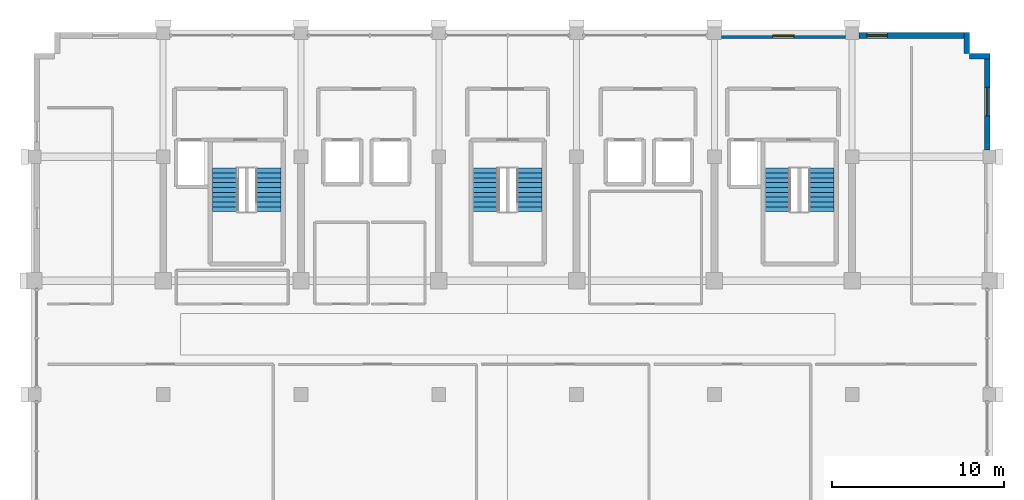
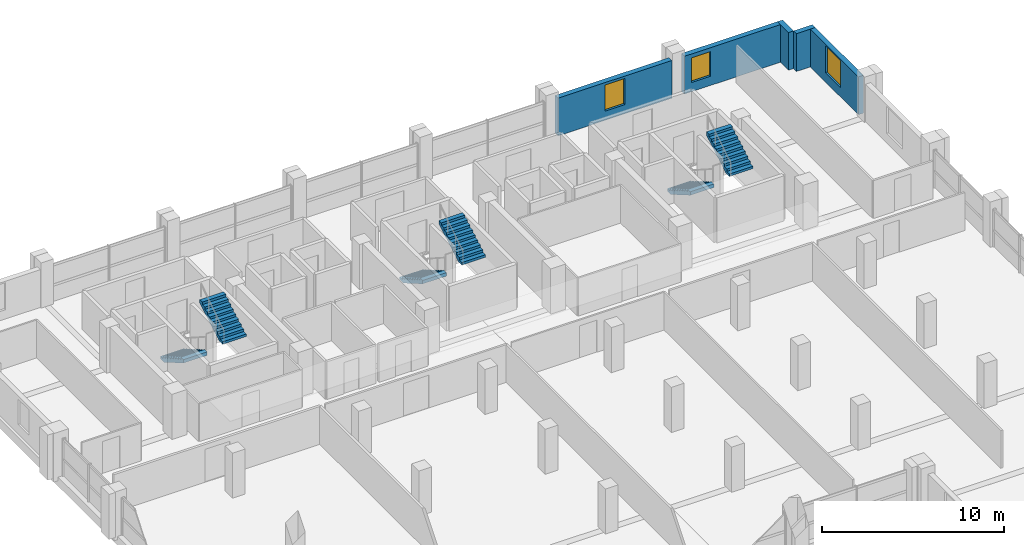
# One storey, part 22 of 23: 6 stair flights, 5 walls, 3 windows, 3 openings, 3 elements without a shape of their own.
"""IFC4 building model written with IfcOpenShell, lengths in metres."""

from ifc_helpers import new_model, si_unit, direction, frame, frame_2d, origin, place, context, subcontext, project, spatial, polyline, rectangle, outline, extrude, material, layer, layer_set, type_object, element, fill, aggregate, save


model = new_model("IFC4")

# Units and contexts
model_context = context("Model", 3, precision=1e-05, world=origin(), true_north=direction((0.0, 1.0)))
body_context = subcontext(model_context, "Body", "Model", "MODEL_VIEW")
ifc_project = project(units=[si_unit("LENGTHUNIT", "METRE"), si_unit("AREAUNIT", "SQUARE_METRE"), si_unit("VOLUMEUNIT", "CUBIC_METRE"), si_unit("PLANEANGLEUNIT", "RADIAN"), si_unit("MASSUNIT", "GRAM", prefix="KILO")], contexts=[model_context])

# Site, building, storey
site_placement = place(None, origin())
site = spatial("IfcSite", under=ifc_project, at=site_placement, CompositionType="ELEMENT")
building_placement = place(site_placement, origin())
building = spatial("IfcBuilding", under=site, at=building_placement, Name="Akrevak Sports Hall", CompositionType="ELEMENT")
storey_placement = place(building_placement, frame((0.0, 0.0, 47.050048828125)))
storey = spatial("IfcBuildingStorey", under=building, at=storey_placement, Name="L11", CompositionType="ELEMENT", Elevation=47.050048828125)

# Wall, opening, window
ifc_material_1 = material(Name="Limestone Ashlar", Category="stone")
ifc_layer_1 = layer(ifc_material_1, 0.070068359375, Name="Limestone Ashlar")
ifc_material_2 = material(Name="Mineral Wool Thermal Insulation", Category="insulation")
ifc_layer_2 = layer(ifc_material_2, 0.090087890625, Name="Mineral Wool Thermal Insulation")
ifc_material_3 = material(Name="Concrete C40/50", Category="concrete")
ifc_layer_3 = layer(ifc_material_3, 0.159912109375, Name="Concrete C40/50")
ifc_layer_set = layer_set([ifc_layer_1, ifc_layer_2, ifc_layer_3], Name="Limestone Ashlar / Mineral Wool Thermal Insulation / Concrete C40/50")
wall_type = type_object("IfcWallType", Name="ARC-WL-EXT-320", PredefinedType="SOLIDWALL", material=ifc_layer_set)
wall_1_placement = place(storey_placement, frame((107.840087890625, 62.800048828125, 0.0), z_axis=(0.0, 0.0, 1.0), x_axis=(0.0, 1.0, 0.0)))
wall_1 = element("IfcWall", 1, at=wall_1_placement, inside=storey, type_object=wall_type, Name="Tower Stone Facade Wall L11-E16", PredefinedType="SOLIDWALL", context=body_context, shape_type="SweptSolid", body=[
    extrude(rectangle(XDim=5.599853515625, YDim=0.320068359375, at=frame_2d((2.7998046875, 0.0))), origin(), (0.0, 0.0, 1.0), 2.530029296875),
])
opening_1_placement = place(wall_1_placement, frame((1.97509765625, 0.0, 0.6201171875)))
opening_1 = element("IfcOpeningElement", 2, at=opening_1_placement, cuts=wall_1, Name="Opening WN-58", PredefinedType="OPENING", context=body_context, shape_type="SweptSolid", body=[
    extrude(rectangle(XDim=1.64990234375, YDim=1.81005859375, at=frame_2d((0.824951171875, 0.905029296875))), frame((0.0, 0.171875, 0.0), z_axis=(0.0, -1.0, 0.0), x_axis=(1.0, 0.0, 0.0)), (0.0, 0.0, 1.0), 0.343994140625),
])
ifc_material_4 = material(Name="Thermally Broken Bronze Frame & Double Low-E Glass", Category="glass")
window_type_1 = type_object("IfcWindowType", Name="ARC-WIN-SZ-1650x1810", PartitioningType="SINGLE_PANEL", PredefinedType="WINDOW", material=ifc_material_4)
window_1_placement = place(opening_1_placement, origin())
window_1 = element("IfcWindow", 3, at=window_1_placement, inside=storey, type_object=window_type_1, Name="Tower Window L11-E16", OverallHeight=1.81005859375, OverallWidth=1.64990234375, PartitioningType="SINGLE_PANEL", PredefinedType="WINDOW", context=body_context, shape_type="SweptSolid", body=[
    extrude(rectangle(XDim=1.64990234375, YDim=1.81005859375, at=frame_2d((0.824951171875, 0.905029296875))), frame((0.0, 0.030029296875, 0.0), z_axis=(0.0, -1.0, 0.0), x_axis=(1.0, 0.0, 0.0)), (0.0, 0.0, 1.0), 0.06005859375),
])
fill(opening_1, window_1)

# Walls
wall_2_placement = place(storey_placement, frame((108.0, 68.239990234375, 0.0), z_axis=(0.0, 0.0, 1.0), x_axis=(-1.0, 0.0, 0.0)))
element("IfcWall", 4, at=wall_2_placement, inside=storey, type_object=wall_type, Name="Tower Stone Facade Wall L11-N17", PredefinedType="SOLIDWALL", context=body_context, shape_type="SweptSolid", body=[
    extrude(rectangle(XDim=1.199951171875, YDim=0.320068359375, at=frame_2d((0.60009765625, 0.0))), origin(), (0.0, 0.0, 1.0), 2.530029296875),
])
wall_3_placement = place(storey_placement, frame((106.639892578125, 68.39990234375, 0.0), z_axis=(0.0, 0.0, 1.0), x_axis=(0.0, 1.0, 0.0)))
element("IfcWall", 5, at=wall_3_placement, inside=storey, type_object=wall_type, Name="Tower Stone Facade Wall L11-E18", PredefinedType="SOLIDWALL", context=body_context, shape_type="SweptSolid", body=[
    extrude(rectangle(XDim=1.2001953125, YDim=0.320068359375, at=frame_2d((0.60009765625, 0.0))), origin(), (0.0, 0.0, 1.0), 2.530029296875),
])

# Wall, opening, window
wall_4_placement = place(storey_placement, frame((106.800048828125, 69.43994140625, 0.0), z_axis=(0.0, 0.0, 1.0), x_axis=(-1.0, 0.0, 0.0)))
wall_4 = element("IfcWall", 6, at=wall_4_placement, inside=storey, type_object=wall_type, Name="Tower Stone Facade Wall L11-N19", PredefinedType="SOLIDWALL", context=body_context, shape_type="SweptSolid", body=[
    extrude(rectangle(XDim=6.400146484375, YDim=0.320068359375, at=frame_2d((3.2001953125, 0.0))), origin(), (0.0, 0.0, 1.0), 2.530029296875),
])
opening_2_placement = place(wall_4_placement, frame((4.75, 0.0, 0.6201171875)))
opening_2 = element("IfcOpeningElement", 7, at=opening_2_placement, cuts=wall_4, Name="Opening WN-45", PredefinedType="OPENING", context=body_context, shape_type="SweptSolid", body=[
    extrude(rectangle(XDim=1.199951171875, YDim=1.64990234375, at=frame_2d((0.60009765625, 0.824951171875))), frame((0.0, 0.171875, 0.0), z_axis=(0.0, -1.0, 0.0), x_axis=(1.0, 0.0, 0.0)), (0.0, 0.0, 1.0), 0.343994140625),
])
window_type_2 = type_object("IfcWindowType", Name="ARC-WIN-SZ-1200x1650", PartitioningType="SINGLE_PANEL", PredefinedType="WINDOW", material=ifc_material_4)
window_2_placement = place(opening_2_placement, origin())
window_2 = element("IfcWindow", 8, at=window_2_placement, inside=storey, type_object=window_type_2, Name="Tower Window L11-N19", OverallHeight=1.64990234375, OverallWidth=1.199951171875, PartitioningType="SINGLE_PANEL", PredefinedType="WINDOW", context=body_context, shape_type="SweptSolid", body=[
    extrude(rectangle(XDim=1.199951171875, YDim=1.64990234375, at=frame_2d((0.60009765625, 0.824951171875))), frame((0.0, 0.030029296875, 0.0), z_axis=(0.0, -1.0, 0.0), x_axis=(1.0, 0.0, 0.0)), (0.0, 0.0, 1.0), 0.06005859375),
])
fill(opening_2, window_2)

wall_5_placement = place(storey_placement, frame((99.60009765625, 69.43994140625, 0.0), z_axis=(0.0, 0.0, 1.0), x_axis=(-1.0, 0.0, 0.0)))
wall_5 = element("IfcWall", 9, at=wall_5_placement, inside=storey, type_object=wall_type, Name="Tower Stone Facade Wall L11-N20", PredefinedType="SOLIDWALL", context=body_context, shape_type="SweptSolid", body=[
    extrude(rectangle(XDim=7.2001953125, YDim=0.320068359375, at=frame_2d((3.60009765625, 0.0))), origin(), (0.0, 0.0, 1.0), 2.530029296875),
])
opening_3_placement = place(wall_5_placement, frame((2.97509765625, 0.0, 0.6201171875)))
opening_3 = element("IfcOpeningElement", 10, at=opening_3_placement, cuts=wall_5, Name="Opening WN-20", PredefinedType="OPENING", context=body_context, shape_type="SweptSolid", body=[
    extrude(rectangle(XDim=1.25, YDim=1.75, at=frame_2d((0.625, 0.875))), frame((0.0, 0.171875, 0.0), z_axis=(0.0, -1.0, 0.0), x_axis=(1.0, 0.0, 0.0)), (0.0, 0.0, 1.0), 0.343994140625),
])
window_type_3 = type_object("IfcWindowType", Name="ARC-WIN-TW-125x175", PartitioningType="SINGLE_PANEL", PredefinedType="WINDOW", material=ifc_material_4)
window_3_placement = place(opening_3_placement, origin())
window_3 = element("IfcWindow", 11, at=window_3_placement, inside=storey, type_object=window_type_3, Name="Tower Window L11-N20", OverallHeight=1.75, OverallWidth=1.25, PartitioningType="SINGLE_PANEL", PredefinedType="WINDOW", context=body_context, shape_type="SweptSolid", body=[
    extrude(rectangle(XDim=1.25, YDim=1.75, at=frame_2d((0.625, 0.875))), frame((0.0, 0.030029296875, 0.0), z_axis=(0.0, -1.0, 0.0), x_axis=(1.0, 0.0, 0.0)), (0.0, 0.0, 1.0), 0.06005859375),
])
fill(opening_3, window_3)

# Stair, stair flights
stair_type = type_object("IfcStairType", Name="ARC-STR-DOG-325", PredefinedType="HALF_TURN_STAIR", material=ifc_material_3)
stair_1_placement = place(storey_placement, origin())
stair_1 = element("IfcStair", 12, at=stair_1_placement, inside=storey, type_object=stair_type, Name="Protected Exit Stair ST1 (L11 to L12)", PredefinedType="HALF_TURN_STAIR")
stair_flight_type = type_object("IfcStairFlightType", Name="ARC-FLT-165-163", PredefinedType="STRAIGHT", material=ifc_material_3)
stair_flight_1_placement = place(storey_placement, frame((63.610107421875, 61.735107421875, 0.0), z_axis=(0.0, 0.0, 1.0), x_axis=(0.0, -1.0, 0.0)))
stair_flight_1 = element("IfcStairFlight", 13, at=stair_flight_1_placement, type_object=stair_flight_type, Name="Stair ST1 Flight 1 (L11)", NumberOfRisers=10, NumberOfTreads=9, PredefinedType="STRAIGHT", RiserHeight=0.1625, TreadLength=0.28, context=body_context, shape_type="SweptSolid", body=[
    extrude(outline(polyline([(0.0, 0.0), (0.0, 0.16259765625), (0.280029296875, 0.16259765625), (0.280029296875, 0.324951171875), (0.56005859375, 0.324951171875), (0.56005859375, 0.487548828125), (0.840087890625, 0.487548828125), (0.840087890625, 0.64990234375), (1.1201171875, 0.64990234375), (1.1201171875, 0.8125), (1.39990234375, 0.8125), (1.39990234375, 0.97509765625), (1.679931640625, 0.97509765625), (1.679931640625, 1.137451171875), (1.9599609375, 1.137451171875), (1.9599609375, 1.300048828125), (2.239990234375, 1.300048828125), (2.239990234375, 1.46240234375), (2.52001953125, 1.46240234375), (2.52001953125, 1.625), (2.52001953125, 1.231201171875), (0.3984375, 0.0), (0.0, 0.0)])), frame((0.0, 0.75, 0.0), z_axis=(0.0, -1.0, 0.0), x_axis=(1.0, 0.0, 0.0)), (0.0, 0.0, 1.0), 1.5),
])
stair_flight_2_placement = place(storey_placement, frame((66.090087890625, 59.215087890625, 1.625), z_axis=(0.0, 0.0, 1.0), x_axis=(0.0, 1.0, 0.0)))
stair_flight_2 = element("IfcStairFlight", 14, at=stair_flight_2_placement, type_object=stair_flight_type, Name="Stair ST1 Flight 2 (L11)", NumberOfRisers=10, NumberOfTreads=9, PredefinedType="STRAIGHT", RiserHeight=0.1625, TreadLength=0.28, context=body_context, shape_type="SweptSolid", body=[
    extrude(outline(polyline([(0.0, 0.0), (0.0, 0.16259765625), (0.280029296875, 0.16259765625), (0.280029296875, 0.324951171875), (0.56005859375, 0.324951171875), (0.56005859375, 0.487548828125), (0.840087890625, 0.487548828125), (0.840087890625, 0.64990234375), (1.1201171875, 0.64990234375), (1.1201171875, 0.8125), (1.39990234375, 0.8125), (1.39990234375, 0.97509765625), (1.679931640625, 0.97509765625), (1.679931640625, 1.137451171875), (1.9599609375, 1.137451171875), (1.9599609375, 1.300048828125), (2.239990234375, 1.300048828125), (2.239990234375, 1.46240234375), (2.52001953125, 1.46240234375), (2.52001953125, 1.625), (2.52001953125, 1.231201171875), (0.3984375, 0.0), (0.0, 0.0)])), frame((0.0, 0.75, 0.0), z_axis=(0.0, -1.0, 0.0), x_axis=(1.0, 0.0, 0.0)), (0.0, 0.0, 1.0), 1.5),
])
aggregate(stair_1, [stair_flight_1, stair_flight_2])

stair_2_placement = place(storey_placement, origin())
stair_2 = element("IfcStair", 15, at=stair_2_placement, inside=storey, type_object=stair_type, Name="Protected Exit Stair ST2 (L11 to L12)", PredefinedType="HALF_TURN_STAIR")
stair_flight_3_placement = place(storey_placement, frame((95.7099609375, 61.735107421875, 0.0), z_axis=(0.0, 0.0, 1.0), x_axis=(0.0, -1.0, 0.0)))
stair_flight_3 = element("IfcStairFlight", 16, at=stair_flight_3_placement, type_object=stair_flight_type, Name="Stair ST2 Flight 1 (L11)", NumberOfRisers=10, NumberOfTreads=9, PredefinedType="STRAIGHT", RiserHeight=0.1625, TreadLength=0.28, context=body_context, shape_type="SweptSolid", body=[
    extrude(outline(polyline([(0.0, 0.0), (0.0, 0.16259765625), (0.280029296875, 0.16259765625), (0.280029296875, 0.324951171875), (0.56005859375, 0.324951171875), (0.56005859375, 0.487548828125), (0.840087890625, 0.487548828125), (0.840087890625, 0.64990234375), (1.1201171875, 0.64990234375), (1.1201171875, 0.8125), (1.39990234375, 0.8125), (1.39990234375, 0.97509765625), (1.679931640625, 0.97509765625), (1.679931640625, 1.137451171875), (1.9599609375, 1.137451171875), (1.9599609375, 1.300048828125), (2.239990234375, 1.300048828125), (2.239990234375, 1.46240234375), (2.52001953125, 1.46240234375), (2.52001953125, 1.625), (2.52001953125, 1.231201171875), (0.3984375, 0.0), (0.0, 0.0)])), frame((0.0, 0.75, 0.0), z_axis=(0.0, -1.0, 0.0), x_axis=(1.0, 0.0, 0.0)), (0.0, 0.0, 1.0), 1.5),
])
stair_flight_4_placement = place(storey_placement, frame((98.18994140625, 59.215087890625, 1.625), z_axis=(0.0, 0.0, 1.0), x_axis=(0.0, 1.0, 0.0)))
stair_flight_4 = element("IfcStairFlight", 17, at=stair_flight_4_placement, type_object=stair_flight_type, Name="Stair ST2 Flight 2 (L11)", NumberOfRisers=10, NumberOfTreads=9, PredefinedType="STRAIGHT", RiserHeight=0.1625, TreadLength=0.28, context=body_context, shape_type="SweptSolid", body=[
    extrude(outline(polyline([(0.0, 0.0), (0.0, 0.16259765625), (0.280029296875, 0.16259765625), (0.280029296875, 0.324951171875), (0.56005859375, 0.324951171875), (0.56005859375, 0.487548828125), (0.840087890625, 0.487548828125), (0.840087890625, 0.64990234375), (1.1201171875, 0.64990234375), (1.1201171875, 0.8125), (1.39990234375, 0.8125), (1.39990234375, 0.97509765625), (1.679931640625, 0.97509765625), (1.679931640625, 1.137451171875), (1.9599609375, 1.137451171875), (1.9599609375, 1.300048828125), (2.239990234375, 1.300048828125), (2.239990234375, 1.46240234375), (2.52001953125, 1.46240234375), (2.52001953125, 1.625), (2.52001953125, 1.231201171875), (0.3984375, 0.0), (0.0, 0.0)])), frame((0.0, 0.75, 0.0), z_axis=(0.0, -1.0, 0.0), x_axis=(1.0, 0.0, 0.0)), (0.0, 0.0, 1.0), 1.5),
])
aggregate(stair_2, [stair_flight_3, stair_flight_4])

stair_3_placement = place(storey_placement, origin())
stair_3 = element("IfcStair", 18, at=stair_3_placement, inside=storey, type_object=stair_type, Name="Protected Exit Stair ST3 (L11 to L12)", PredefinedType="HALF_TURN_STAIR")
stair_flight_5_placement = place(storey_placement, frame((78.760009765625, 61.735107421875, 0.0), z_axis=(0.0, 0.0, 1.0), x_axis=(0.0, -1.0, 0.0)))
stair_flight_5 = element("IfcStairFlight", 19, at=stair_flight_5_placement, type_object=stair_flight_type, Name="Stair ST3 Flight 1 (L11)", NumberOfRisers=10, NumberOfTreads=9, PredefinedType="STRAIGHT", RiserHeight=0.1625, TreadLength=0.28, context=body_context, shape_type="SweptSolid", body=[
    extrude(outline(polyline([(0.0, 0.0), (0.0, 0.16259765625), (0.280029296875, 0.16259765625), (0.280029296875, 0.324951171875), (0.56005859375, 0.324951171875), (0.56005859375, 0.487548828125), (0.840087890625, 0.487548828125), (0.840087890625, 0.64990234375), (1.1201171875, 0.64990234375), (1.1201171875, 0.8125), (1.39990234375, 0.8125), (1.39990234375, 0.97509765625), (1.679931640625, 0.97509765625), (1.679931640625, 1.137451171875), (1.9599609375, 1.137451171875), (1.9599609375, 1.300048828125), (2.239990234375, 1.300048828125), (2.239990234375, 1.46240234375), (2.52001953125, 1.46240234375), (2.52001953125, 1.625), (2.52001953125, 1.231201171875), (0.3984375, 0.0), (0.0, 0.0)])), frame((0.0, 0.75, 0.0), z_axis=(0.0, -1.0, 0.0), x_axis=(1.0, 0.0, 0.0)), (0.0, 0.0, 1.0), 1.5),
])
stair_flight_6_placement = place(storey_placement, frame((81.239990234375, 59.215087890625, 1.625), z_axis=(0.0, 0.0, 1.0), x_axis=(0.0, 1.0, 0.0)))
stair_flight_6 = element("IfcStairFlight", 20, at=stair_flight_6_placement, type_object=stair_flight_type, Name="Stair ST3 Flight 2 (L11)", NumberOfRisers=10, NumberOfTreads=9, PredefinedType="STRAIGHT", RiserHeight=0.1625, TreadLength=0.28, context=body_context, shape_type="SweptSolid", body=[
    extrude(outline(polyline([(0.0, 0.0), (0.0, 0.16259765625), (0.280029296875, 0.16259765625), (0.280029296875, 0.324951171875), (0.56005859375, 0.324951171875), (0.56005859375, 0.487548828125), (0.840087890625, 0.487548828125), (0.840087890625, 0.64990234375), (1.1201171875, 0.64990234375), (1.1201171875, 0.8125), (1.39990234375, 0.8125), (1.39990234375, 0.97509765625), (1.679931640625, 0.97509765625), (1.679931640625, 1.137451171875), (1.9599609375, 1.137451171875), (1.9599609375, 1.300048828125), (2.239990234375, 1.300048828125), (2.239990234375, 1.46240234375), (2.52001953125, 1.46240234375), (2.52001953125, 1.625), (2.52001953125, 1.231201171875), (0.3984375, 0.0), (0.0, 0.0)])), frame((0.0, 0.75, 0.0), z_axis=(0.0, -1.0, 0.0), x_axis=(1.0, 0.0, 0.0)), (0.0, 0.0, 1.0), 1.5),
])
aggregate(stair_3, [stair_flight_5, stair_flight_6])

save(model, "model.ifc")
